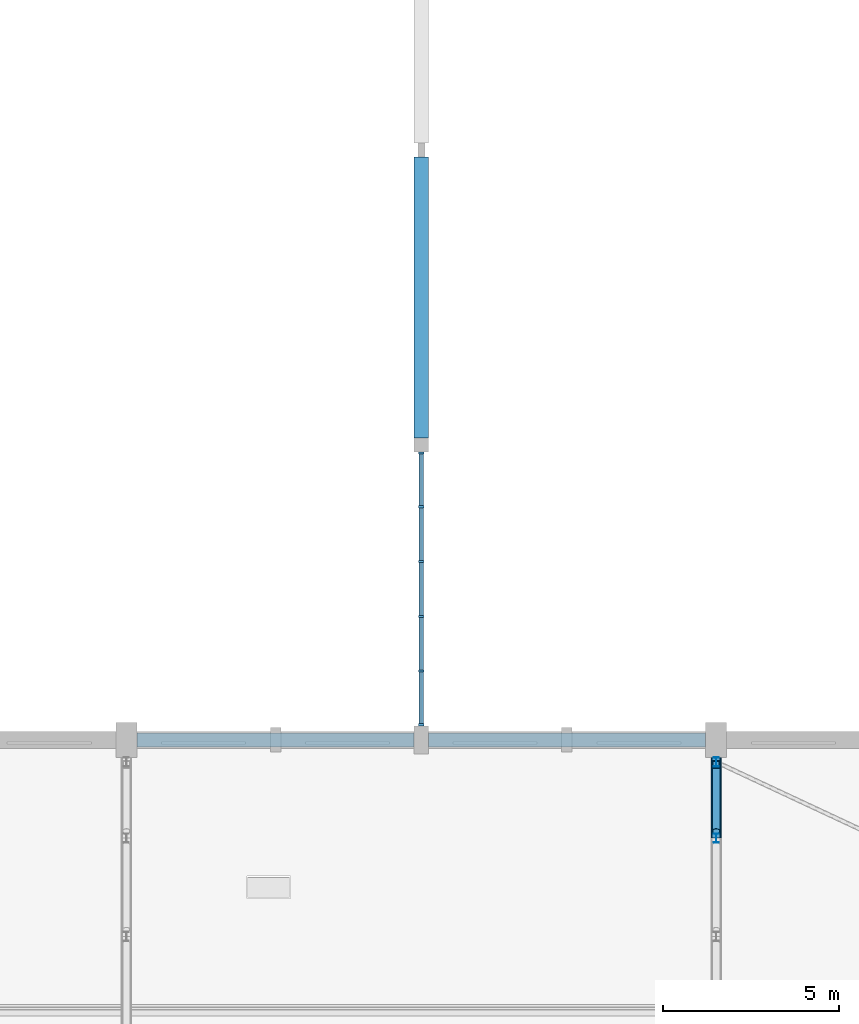
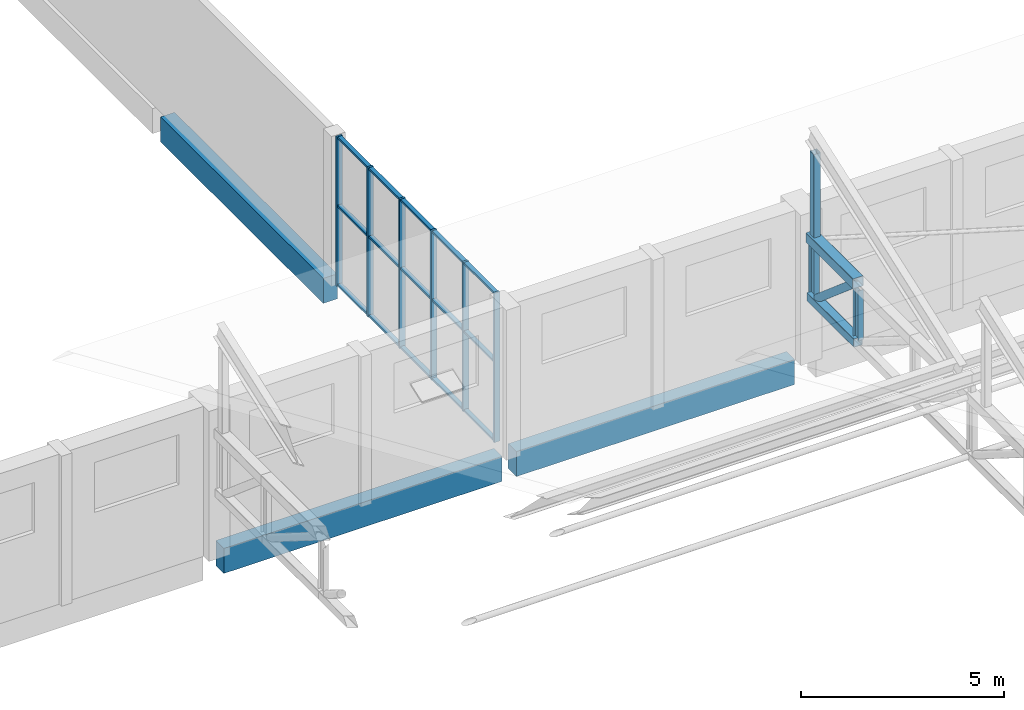
# One storey, part 36 of 101: 27 members, 3 beams, 1 element without a shape of its own.
"""IFC4 building model written with IfcOpenShell, lengths in metres."""

import ifcopenshell
import ifcopenshell.guid

model = None  # the IFC model being written
_history = None  # IfcOwnerHistory: only IFC2X3 demands one
_inside = {}  # id of a spatial element -> (the spatial element, [elements in it])
_under = {}  # id of a project, library or spatial element -> (it, [spatial elements below it])
_declared = {}  # id of a project -> (the project, [libraries it declares])
_typed = {}  # id of a type object -> (the type object, [elements of that type])
_made_of = {}  # id of a material, layer set ... -> (it, [elements and type objects made of it])


def new_model(schema):
    """Start an empty IFC model of exactly this schema.

    Asked for "IFC4X3", IfcOpenShell would pick the latest addendum, in which some entities
    have other attributes; the version numbers below select the first issue.
    IFC2X3 requires an IfcOwnerHistory on every rooted entity: one is made here for all.
    """
    global model, _history
    if schema == "IFC4X3":
        model = ifcopenshell.file(schema_version=(4, 3, 0, 0))
    else:
        model = ifcopenshell.file(schema=schema)
    _inside.clear()
    _under.clear()
    _declared.clear()
    _typed.clear()
    _made_of.clear()
    _history = None
    if model.schema == "IFC2X3":
        org = make("IfcOrganization", Name="unknown")
        user = make(
            "IfcPersonAndOrganization",
            ThePerson=make("IfcPerson", FamilyName="unknown"),
            TheOrganization=org,
        )
        app = make(
            "IfcApplication",
            ApplicationDeveloper=org,
            Version="unknown",
            ApplicationFullName="unknown",
            ApplicationIdentifier="unknown",
        )
        _history = make(
            "IfcOwnerHistory",
            OwningUser=user,
            OwningApplication=app,
            ChangeAction="ADDED",
            CreationDate=0,
        )
    return model


def make(cls, **values):
    """One entity of the class cls with the attributes given. An attribute that is None is left unset."""
    return model.create_entity(
        cls, **{name: value for name, value in values.items() if value is not None}
    )


def rooted(cls, **values):
    """An entity with a GlobalId (a new one), such as an element, a storey or a relation."""
    return make(cls, GlobalId=ifcopenshell.guid.new(), OwnerHistory=_history, **values)


def si_unit(unit_type, name, prefix=None):
    """IfcSIUnit, for example si_unit("LENGTHUNIT", "METRE", prefix="MILLI")."""
    return make("IfcSIUnit", UnitType=unit_type, Prefix=prefix, Name=name)


def assignment(units):
    """IfcUnitAssignment: the units of a project."""
    return None if units is None else make("IfcUnitAssignment", Units=units)


def point(xyz):
    """IfcCartesianPoint."""
    return None if xyz is None else make("IfcCartesianPoint", Coordinates=xyz)


def direction(xyz):
    """IfcDirection."""
    return None if xyz is None else make("IfcDirection", DirectionRatios=xyz)


def frame(location, z_axis=None, x_axis=None):
    """IfcAxis2Placement3D, a coordinate frame: its origin and axes. An axis left out is left unset."""
    return make(
        "IfcAxis2Placement3D",
        Location=point(location),
        Axis=direction(z_axis),
        RefDirection=direction(x_axis),
    )


def frame_2d(location, x_axis=None):
    """IfcAxis2Placement2D, a coordinate frame in the plane: its origin and x axis."""
    return make(
        "IfcAxis2Placement2D", Location=point(location), RefDirection=direction(x_axis)
    )


def origin():
    """The frame at (0, 0, 0) with its axes left unset."""
    return frame((0.0, 0.0, 0.0))


def origin_2d():
    """The frame at (0, 0) in the plane with its x axis left unset."""
    return frame_2d((0.0, 0.0))


def place(relative_to, where):
    """IfcLocalPlacement: puts the frame where relative to a parent placement (None: the world)."""
    return make(
        "IfcLocalPlacement", PlacementRelTo=relative_to, RelativePlacement=where
    )


def context(
    kind, dimensions, precision=None, world=None, true_north=None, identifier=None
):
    """IfcGeometricRepresentationContext, for example the 3D "Model" context."""
    return make(
        "IfcGeometricRepresentationContext",
        ContextIdentifier=identifier,
        ContextType=kind,
        CoordinateSpaceDimension=dimensions,
        Precision=precision,
        WorldCoordinateSystem=world,
        TrueNorth=true_north,
    )


def subcontext(parent, identifier, kind, view, scale=None):
    """IfcGeometricRepresentationSubContext, for example "Body" below "Model"."""
    return make(
        "IfcGeometricRepresentationSubContext",
        ContextIdentifier=identifier,
        ContextType=kind,
        ParentContext=parent,
        TargetScale=scale,
        TargetView=view,
    )


def project(units=None, contexts=None):
    """IfcProject with its units and contexts."""
    return rooted(
        "IfcProject",
        Name="project",
        RepresentationContexts=contexts,
        UnitsInContext=assignment(units),
    )


def spatial(cls, under=None, at=None, **own):
    """A site, building, storey or space (cls), placed at a placement, below another one or the project."""
    s = rooted(cls, ObjectPlacement=at, **own)
    if under is not None:
        _under.setdefault(under.id(), (under, []))[1].append(s)
    return s


def profile(cls, at=None, kind="AREA", **sizes):
    """A parametric profile (cls). Its sizes go by their IFC names, for example OverallWidth=200.0."""
    return make(cls, ProfileType=kind, Position=at, **sizes)


def rectangle(**sizes):
    """IfcRectangleProfileDef."""
    return profile("IfcRectangleProfileDef", **sizes)


def hollow_rectangle(**sizes):
    """IfcRectangleHollowProfileDef."""
    return profile("IfcRectangleHollowProfileDef", **sizes)


def hollow_circle(**sizes):
    """IfcCircleHollowProfileDef."""
    return profile("IfcCircleHollowProfileDef", **sizes)


def i_section(**sizes):
    """IfcIShapeProfileDef."""
    return profile("IfcIShapeProfileDef", **sizes)


def extrude(swept, where, along, depth):
    """IfcExtrudedAreaSolid: the profile swept, set in the frame where, extruded along a direction by depth."""
    return make(
        "IfcExtrudedAreaSolid",
        SweptArea=swept,
        Position=where,
        ExtrudedDirection=direction(along),
        Depth=depth,
    )


def shape(context_of_items, identifier, shape_type, items):
    """IfcShapeRepresentation: the items that make up one representation, for example the "Body"."""
    return make(
        "IfcShapeRepresentation",
        ContextOfItems=context_of_items,
        RepresentationIdentifier=identifier,
        RepresentationType=shape_type,
        Items=items,
    )


def material(Name=None, Category=None):
    """IfcMaterial."""
    return make("IfcMaterial", Name=Name, Category=Category)


def material_profile(
    of_material, cross_section, Name=None, Category=None, Priority=None
):
    """IfcMaterialProfile: a cross section and its material."""
    return make(
        "IfcMaterialProfile",
        Name=Name,
        Material=of_material,
        Profile=cross_section,
        Priority=Priority,
        Category=Category,
    )


def profile_set(profiles, Name=None, composite=None):
    """IfcMaterialProfileSet."""
    return make(
        "IfcMaterialProfileSet",
        Name=Name,
        MaterialProfiles=profiles,
        CompositeProfile=composite,
    )


def made_of(thing, what):
    """Note that an element or type object is made of a material, layer set ...; save() writes the relation."""
    if what is not None:
        _made_of.setdefault(what.id(), (what, []))[1].append(thing)
    return thing


def type_object(cls, material=None, **own):
    """A type object (cls), such as IfcWallType, which elements share."""
    return made_of(rooted(cls, **own), material)


def element(
    cls,
    number,
    at=None,
    inside=None,
    cuts=None,
    type_object=None,
    material=None,
    context=None,
    identifier="Body",
    shape_type=None,
    held_by="IfcProductDefinitionShape",
    body=None,
    shapes=None,
    **own,
):
    """One element of the class cls, such as IfcWall. Its Tag is "e" and its number.

    at: its placement. inside: the storey or other place that contains it. cuts: it is an
    opening in that element (IfcRelVoidsElement). A single representation is given by context,
    identifier, shape_type and body (its items); several are given by shapes. held_by: the class
    of the entity that holds the representations. save() writes the other relations.
    """
    e = rooted(cls, Tag="e%d" % number, ObjectPlacement=at, **own)
    if body is not None:
        shapes = [shape(context, identifier, shape_type, body)]
    if shapes is not None:
        e.Representation = make(held_by, Representations=shapes)
    if inside is not None:
        _inside.setdefault(inside.id(), (inside, []))[1].append(e)
    if cuts is not None:
        rooted(
            "IfcRelVoidsElement", RelatingBuildingElement=cuts, RelatedOpeningElement=e
        )
    if type_object is not None:
        _typed.setdefault(type_object.id(), (type_object, []))[1].append(e)
    return made_of(e, material)


def aggregate(whole, parts):
    """IfcRelAggregates: a whole, such as a stair, and the parts it consists of."""
    return rooted("IfcRelAggregates", RelatingObject=whole, RelatedObjects=parts)


def save(model, path):
    """Write the relations noted so far, then the file.

    IfcRelAggregates (storeys below a building ...), IfcRelContainedInSpatialStructure (elements
    in a storey), IfcRelDefinesByType, IfcRelAssociatesMaterial and IfcRelDeclares: one each for
    every whole, place, type object, material and project.
    """
    for whole, parts in _under.values():
        aggregate(whole, parts)
    for where, things in _inside.values():
        rooted(
            "IfcRelContainedInSpatialStructure",
            RelatedElements=things,
            RelatingStructure=where,
        )
    for kind, things in _typed.values():
        rooted("IfcRelDefinesByType", RelatedObjects=things, RelatingType=kind)
    for what, things in _made_of.values():
        rooted("IfcRelAssociatesMaterial", RelatedObjects=things, RelatingMaterial=what)
    for by, libraries in _declared.values():
        rooted("IfcRelDeclares", RelatingContext=by, RelatedDefinitions=libraries)
    model.write(path)


model = new_model("IFC4")

# Units and contexts
model_context = context("Model", 3, precision=1e-05, world=origin(), true_north=direction((0.0, 1.0)))
body_context = subcontext(model_context, "Body", "Model", "MODEL_VIEW")
ifc_project = project(units=[si_unit("LENGTHUNIT", "METRE"), si_unit("AREAUNIT", "SQUARE_METRE"), si_unit("VOLUMEUNIT", "CUBIC_METRE"), si_unit("PLANEANGLEUNIT", "RADIAN"), si_unit("MASSUNIT", "GRAM", prefix="KILO")], contexts=[model_context])

# Site, building, storey
site_placement = place(None, origin())
site = spatial("IfcSite", under=ifc_project, at=site_placement, CompositionType="ELEMENT")
building_placement = place(site_placement, origin())
building = spatial("IfcBuilding", under=site, at=building_placement, Name="Fescue Hill Polytechnic", CompositionType="ELEMENT")
storey_placement = place(building_placement, frame((0.0, 0.0, 9.0)))
storey = spatial("IfcBuildingStorey", under=building, at=storey_placement, Name="L02", CompositionType="ELEMENT", Elevation=9.0)

# Beams
ifc_material_1 = material(Name="Concrete 35 MPa", Category="concrete")
ifc_material_profile_1 = material_profile(ifc_material_1, rectangle(XDim=0.39990234375, YDim=0.75, at=origin_2d()), Name="RC 400x750")
ifc_profile_set_1 = profile_set([ifc_material_profile_1], Name="Concrete 35 MPa")
beam_type = type_object("IfcBeamType", Name="Beam RC 400x750", PredefinedType="BEAM", material=ifc_profile_set_1)
beam_1_placement = place(storey_placement, frame((92.199951171875, 50.39990234375, -0.375), z_axis=(-1.0, 0.0, 0.0), x_axis=(0.0, -1.0, 0.0)))
element("IfcBeam", 1, at=beam_1_placement, inside=storey, type_object=beam_type, Name="BM-L02-0159", PredefinedType="BEAM", context=body_context, shape_type="SweptSolid", body=[
    extrude(rectangle(XDim=0.39990234375, YDim=0.75, at=origin_2d()), origin(), (0.0, 0.0, 1.0), 7.89990234375),
])
beam_2_placement = place(storey_placement, frame((92.39990234375, 67.0, -0.375), z_axis=(0.0, -1.0, 0.0), x_axis=(1.0, 0.0, 0.0)))
element("IfcBeam", 2, at=beam_2_placement, inside=storey, type_object=beam_type, Name="BM-L02-0160", PredefinedType="BEAM", context=body_context, shape_type="SweptSolid", body=[
    extrude(rectangle(XDim=0.39990234375, YDim=0.75, at=origin_2d()), origin(), (0.0, 0.0, 1.0), 8.0),
])
beam_3_placement = place(storey_placement, frame((100.5, 50.39990234375, -0.375), z_axis=(-1.0, 0.0, 0.0), x_axis=(0.0, -1.0, 0.0)))
element("IfcBeam", 3, at=beam_3_placement, inside=storey, type_object=beam_type, Name="BM-L02-0166", PredefinedType="BEAM", context=body_context, shape_type="SweptSolid", body=[
    extrude(rectangle(XDim=0.39990234375, YDim=0.75, at=origin_2d()), origin(), (0.0, 0.0, 1.0), 7.89990234375),
])

# Members
ifc_material_2 = material(Name="Steel 350W (350 MPa)", Category="steel")
ifc_material_profile_2 = material_profile(ifc_material_2, hollow_rectangle(XDim=0.25390625, YDim=0.25390625, WallThickness=0.0126953125, InnerFilletRadius=0.0126953125, OuterFilletRadius=0.025390625, at=origin_2d()), Name="Hall truss bottom chord HSS 254x254x13")
ifc_profile_set_2 = profile_set([ifc_material_profile_2], Name="Steel 350W (350 MPa)")
member_type_1 = type_object("IfcMemberType", Name="Hall truss bottom chord HSS 254x254x13", PredefinedType="CHORD", material=ifc_profile_set_2)
member_1_placement = place(storey_placement, frame((100.800048828125, 47.60009765625, 2.0), z_axis=(0.0, 1.0, 0.0), x_axis=(-1.0, 0.0, 0.0)))
element("IfcMember", 4, at=member_1_placement, inside=storey, type_object=member_type_1, Name="Truss TR7 bottom chord 12", PredefinedType="CHORD", context=body_context, shape_type="SweptSolid", body=[
    extrude(hollow_rectangle(XDim=0.25390625, YDim=0.25390625, WallThickness=0.0126953125, InnerFilletRadius=0.0126953125, OuterFilletRadius=0.025390625, at=origin_2d()), origin(), (0.0, 0.0, 1.0), 2.2998046875),
])
ifc_material_profile_3 = material_profile(ifc_material_2, hollow_circle(Radius=0.109619140625, WallThickness=0.009521484375, at=origin_2d()), Name="Hall truss diagonal CHS 219x9.5")
ifc_profile_set_3 = profile_set([ifc_material_profile_3], Name="Steel 350W (350 MPa)")
member_type_2 = type_object("IfcMemberType", Name="Hall truss diagonal CHS 219x9.5", PredefinedType="BRACE", material=ifc_profile_set_3)
member_2_placement = place(storey_placement, frame((100.800048828125, 47.800048828125, 3.631103515625), z_axis=(0.0, 0.761443253909, -0.648231572107), x_axis=(-1.0, 0.0, 0.0)))
element("IfcMember", 5, at=member_2_placement, inside=storey, type_object=member_type_2, Name="Truss TR7 diagonal 12", PredefinedType="BRACE", context=body_context, shape_type="SweptSolid", body=[
    extrude(hollow_circle(Radius=0.109619140625, WallThickness=0.009521484375, at=origin_2d()), origin(), (0.0, 0.0, 1.0), 2.3203125),
])
ifc_material_profile_4 = material_profile(ifc_material_2, i_section(OverallWidth=0.14794921875, OverallDepth=0.26611328125, WebThickness=0.007568359375, FlangeThickness=0.012939453125, FilletRadius=0.013916015625, at=origin_2d()), Name="W250x45")
ifc_profile_set_4 = profile_set([ifc_material_profile_4], Name="Steel 350W (350 MPa)")
member_type_3 = type_object("IfcMemberType", Name="Hall truss post W250x45", PredefinedType="POST", material=ifc_profile_set_4)
for number, where, z_axis, x_axis, name in (
    (6, (100.800048828125, 47.60009765625, 2.126953125), (0.0, 0.0, 1.0), (1.0, 0.0, 0.0), "Truss TR7 post 12"),
    (7, (100.800048828125, 49.76708984375, 2.126953125), (0.0, 0.0, 1.0), (1.0, 0.0, 0.0), "Truss TR7 post 13"),
):
    element("IfcMember", number, at=place(storey_placement, frame(where, z_axis=z_axis, x_axis=x_axis)), inside=storey, type_object=member_type_3, Name=name, PredefinedType="POST", context=body_context, shape_type="SweptSolid", body=[
        extrude(i_section(OverallWidth=0.14794921875, OverallDepth=0.26611328125, WebThickness=0.007568359375, FlangeThickness=0.012939453125, FilletRadius=0.013916015625, at=origin_2d()), origin(), (0.0, 0.0, 1.0), 1.504150390625),
    ])
ifc_material_profile_5 = material_profile(ifc_material_2, hollow_rectangle(XDim=0.3046875, YDim=0.3046875, WallThickness=0.0126953125, InnerFilletRadius=0.0126953125, OuterFilletRadius=0.025390625, at=origin_2d()), Name="Hall truss top chord HSS 305x305x13")
ifc_profile_set_5 = profile_set([ifc_material_profile_5], Name="Steel 350W (350 MPa)")
member_type_4 = type_object("IfcMemberType", Name="Hall truss top chord HSS 305x305x13", PredefinedType="CHORD", material=ifc_profile_set_5)
member_3_placement = place(storey_placement, frame((100.800048828125, 47.60009765625, 3.783447265625), z_axis=(0.0, 1.0, 0.0), x_axis=(-1.0, 0.0, 0.0)))
element("IfcMember", 8, at=member_3_placement, inside=storey, type_object=member_type_4, Name="Truss TR7 top chord 12", PredefinedType="CHORD", context=body_context, shape_type="SweptSolid", body=[
    extrude(hollow_rectangle(XDim=0.3046875, YDim=0.3046875, WallThickness=0.0126953125, InnerFilletRadius=0.0126953125, OuterFilletRadius=0.025390625, at=origin_2d()), origin(), (0.0, 0.0, 1.0), 2.2998046875),
])

# Curtain wall, members
ifc_material_3 = material(Name="Glass", Category="glass")
curtain_wall_type = type_object("IfcCurtainWallType", Name="Curtain wall structural glazing", PredefinedType="NOTDEFINED", material=ifc_material_3)
curtain_wall_placement = place(storey_placement, origin())
curtain_wall = element("IfcCurtainWall", 9, at=curtain_wall_placement, inside=storey, type_object=curtain_wall_type, Name="CW-L02-V6-1", PredefinedType="NOTDEFINED")
ifc_material_4 = material(Name="Powder-coated aluminium", Category="aluminium")
ifc_material_profile_6 = material_profile(ifc_material_4, rectangle(XDim=0.159912109375, YDim=0.06005859375, at=origin_2d()), Name="Mullion aluminium 60x160")
ifc_profile_set_6 = profile_set([ifc_material_profile_6], Name="Powder-coated aluminium")
member_type_5 = type_object("IfcMemberType", Name="Mullion aluminium 60x160", PredefinedType="MULLION", material=ifc_profile_set_6)
member_4_placement = place(storey_placement, frame((92.39990234375, 58.570068359375, 0.0), z_axis=(0.0, 0.0, 1.0), x_axis=(1.0, 0.0, 0.0)))
member_4 = element("IfcMember", 10, at=member_4_placement, type_object=member_type_5, Name="CW70 mullion 1", PredefinedType="MULLION", context=body_context, shape_type="SweptSolid", body=[
    extrude(rectangle(XDim=0.159912109375, YDim=0.06005859375, at=origin_2d()), origin(), (0.0, 0.0, 1.0), 4.47998046875),
])
member_5_placement = place(storey_placement, frame((92.39990234375, 57.0400390625, 0.0), z_axis=(0.0, 0.0, 1.0), x_axis=(1.0, 0.0, 0.0)))
member_5 = element("IfcMember", 11, at=member_5_placement, type_object=member_type_5, Name="CW70 mullion 2", PredefinedType="MULLION", context=body_context, shape_type="SweptSolid", body=[
    extrude(rectangle(XDim=0.159912109375, YDim=0.06005859375, at=origin_2d()), origin(), (0.0, 0.0, 1.0), 4.47998046875),
])
member_6_placement = place(storey_placement, frame((92.39990234375, 55.47998046875, 0.0), z_axis=(0.0, 0.0, 1.0), x_axis=(1.0, 0.0, 0.0)))
member_6 = element("IfcMember", 12, at=member_6_placement, type_object=member_type_5, Name="CW70 mullion 3", PredefinedType="MULLION", context=body_context, shape_type="SweptSolid", body=[
    extrude(rectangle(XDim=0.159912109375, YDim=0.06005859375, at=origin_2d()), origin(), (0.0, 0.0, 1.0), 4.47998046875),
])
member_7_placement = place(storey_placement, frame((92.39990234375, 53.919921875, 0.0), z_axis=(0.0, 0.0, 1.0), x_axis=(1.0, 0.0, 0.0)))
member_7 = element("IfcMember", 13, at=member_7_placement, type_object=member_type_5, Name="CW70 mullion 4", PredefinedType="MULLION", context=body_context, shape_type="SweptSolid", body=[
    extrude(rectangle(XDim=0.159912109375, YDim=0.06005859375, at=origin_2d()), origin(), (0.0, 0.0, 1.0), 4.47998046875),
])
member_8_placement = place(storey_placement, frame((92.39990234375, 52.360107421875, 0.0), z_axis=(0.0, 0.0, 1.0), x_axis=(1.0, 0.0, 0.0)))
member_8 = element("IfcMember", 14, at=member_8_placement, type_object=member_type_5, Name="CW70 mullion 5", PredefinedType="MULLION", context=body_context, shape_type="SweptSolid", body=[
    extrude(rectangle(XDim=0.159912109375, YDim=0.06005859375, at=origin_2d()), origin(), (0.0, 0.0, 1.0), 4.47998046875),
])
member_9_placement = place(storey_placement, frame((92.39990234375, 50.830078125, 0.0), z_axis=(0.0, 0.0, 1.0), x_axis=(1.0, 0.0, 0.0)))
member_9 = element("IfcMember", 15, at=member_9_placement, type_object=member_type_5, Name="CW70 mullion 6", PredefinedType="MULLION", context=body_context, shape_type="SweptSolid", body=[
    extrude(rectangle(XDim=0.159912109375, YDim=0.06005859375, at=origin_2d()), origin(), (0.0, 0.0, 1.0), 4.47998046875),
])

# Member
ifc_material_profile_7 = material_profile(ifc_material_2, hollow_rectangle(XDim=0.203125, YDim=0.203125, WallThickness=0.009521484375, InnerFilletRadius=0.009521484375, OuterFilletRadius=0.01904296875, at=origin_2d()), Name="Tooth ridge post HSS 203x203x9.5")
ifc_profile_set_7 = profile_set([ifc_material_profile_7], Name="Steel 350W (350 MPa)")
member_type_6 = type_object("IfcMemberType", Name="Tooth ridge post HSS 203x203x9.5", PredefinedType="POST", material=ifc_profile_set_7)
member_10_placement = place(storey_placement, frame((100.800048828125, 49.699951171875, 3.93603515625), z_axis=(0.0, 0.0, 1.0), x_axis=(1.0, 0.0, 0.0)))
element("IfcMember", 16, at=member_10_placement, inside=storey, type_object=member_type_6, Name="Tooth 4 ridge post on TR7", PredefinedType="POST", context=body_context, shape_type="SweptSolid", body=[
    extrude(hollow_rectangle(XDim=0.203125, YDim=0.203125, WallThickness=0.009521484375, InnerFilletRadius=0.009521484375, OuterFilletRadius=0.01904296875, at=origin_2d()), origin(), (0.0, 0.0, 1.0), 2.499267578125),
])

ifc_material_profile_8 = material_profile(ifc_material_4, rectangle(XDim=0.1201171875, YDim=0.06005859375, at=origin_2d()), Name="Transom aluminium 60x120")
ifc_profile_set_8 = profile_set([ifc_material_profile_8], Name="Powder-coated aluminium")
member_type_7 = type_object("IfcMemberType", Name="Transom aluminium 60x120", PredefinedType="USERDEFINED", material=ifc_profile_set_8)
member_11_placement = place(storey_placement, frame((92.39990234375, 58.5400390625, 0.030029296875), z_axis=(0.0, -1.0, 0.0), x_axis=(1.0, 0.0, 0.0)))
member_11 = element("IfcMember", 17, at=member_11_placement, type_object=member_type_7, Name="CW70 transom 1.1", ObjectType="TRANSOM", PredefinedType="USERDEFINED", context=body_context, shape_type="SweptSolid", body=[
    extrude(rectangle(XDim=0.1201171875, YDim=0.06005859375, at=origin_2d()), origin(), (0.0, 0.0, 1.0), 1.469970703125),
])

member_12_placement = place(storey_placement, frame((92.39990234375, 58.5400390625, 2.39990234375), z_axis=(0.0, -1.0, 0.0), x_axis=(1.0, 0.0, 0.0)))
member_12 = element("IfcMember", 18, at=member_12_placement, type_object=member_type_7, Name="CW70 transom 1.2", ObjectType="TRANSOM", PredefinedType="USERDEFINED", context=body_context, shape_type="SweptSolid", body=[
    extrude(rectangle(XDim=0.1201171875, YDim=0.06005859375, at=origin_2d()), origin(), (0.0, 0.0, 1.0), 1.469970703125),
])

member_13_placement = place(storey_placement, frame((92.39990234375, 58.5400390625, 4.449951171875), z_axis=(0.0, -1.0, 0.0), x_axis=(1.0, 0.0, 0.0)))
member_13 = element("IfcMember", 19, at=member_13_placement, type_object=member_type_7, Name="CW70 transom 1.3", ObjectType="TRANSOM", PredefinedType="USERDEFINED", context=body_context, shape_type="SweptSolid", body=[
    extrude(rectangle(XDim=0.1201171875, YDim=0.06005859375, at=origin_2d()), origin(), (0.0, 0.0, 1.0), 1.469970703125),
])

member_14_placement = place(storey_placement, frame((92.39990234375, 57.010009765625, 0.030029296875), z_axis=(0.0, -1.0, 0.0), x_axis=(1.0, 0.0, 0.0)))
member_14 = element("IfcMember", 20, at=member_14_placement, type_object=member_type_7, Name="CW70 transom 2.1", ObjectType="TRANSOM", PredefinedType="USERDEFINED", context=body_context, shape_type="SweptSolid", body=[
    extrude(rectangle(XDim=0.1201171875, YDim=0.06005859375, at=origin_2d()), origin(), (0.0, 0.0, 1.0), 1.5),
])

member_15_placement = place(storey_placement, frame((92.39990234375, 57.010009765625, 2.39990234375), z_axis=(0.0, -1.0, 0.0), x_axis=(1.0, 0.0, 0.0)))
member_15 = element("IfcMember", 21, at=member_15_placement, type_object=member_type_7, Name="CW70 transom 2.2", ObjectType="TRANSOM", PredefinedType="USERDEFINED", context=body_context, shape_type="SweptSolid", body=[
    extrude(rectangle(XDim=0.1201171875, YDim=0.06005859375, at=origin_2d()), origin(), (0.0, 0.0, 1.0), 1.5),
])

member_16_placement = place(storey_placement, frame((92.39990234375, 57.010009765625, 4.449951171875), z_axis=(0.0, -1.0, 0.0), x_axis=(1.0, 0.0, 0.0)))
member_16 = element("IfcMember", 22, at=member_16_placement, type_object=member_type_7, Name="CW70 transom 2.3", ObjectType="TRANSOM", PredefinedType="USERDEFINED", context=body_context, shape_type="SweptSolid", body=[
    extrude(rectangle(XDim=0.1201171875, YDim=0.06005859375, at=origin_2d()), origin(), (0.0, 0.0, 1.0), 1.5),
])

member_17_placement = place(storey_placement, frame((92.39990234375, 55.449951171875, 0.030029296875), z_axis=(0.0, -1.0, 0.0), x_axis=(1.0, 0.0, 0.0)))
member_17 = element("IfcMember", 23, at=member_17_placement, type_object=member_type_7, Name="CW70 transom 3.1", ObjectType="TRANSOM", PredefinedType="USERDEFINED", context=body_context, shape_type="SweptSolid", body=[
    extrude(rectangle(XDim=0.1201171875, YDim=0.06005859375, at=origin_2d()), origin(), (0.0, 0.0, 1.0), 1.5),
])

member_18_placement = place(storey_placement, frame((92.39990234375, 55.449951171875, 2.39990234375), z_axis=(0.0, -1.0, 0.0), x_axis=(1.0, 0.0, 0.0)))
member_18 = element("IfcMember", 24, at=member_18_placement, type_object=member_type_7, Name="CW70 transom 3.2", ObjectType="TRANSOM", PredefinedType="USERDEFINED", context=body_context, shape_type="SweptSolid", body=[
    extrude(rectangle(XDim=0.1201171875, YDim=0.06005859375, at=origin_2d()), origin(), (0.0, 0.0, 1.0), 1.5),
])

member_19_placement = place(storey_placement, frame((92.39990234375, 55.449951171875, 4.449951171875), z_axis=(0.0, -1.0, 0.0), x_axis=(1.0, 0.0, 0.0)))
member_19 = element("IfcMember", 25, at=member_19_placement, type_object=member_type_7, Name="CW70 transom 3.3", ObjectType="TRANSOM", PredefinedType="USERDEFINED", context=body_context, shape_type="SweptSolid", body=[
    extrude(rectangle(XDim=0.1201171875, YDim=0.06005859375, at=origin_2d()), origin(), (0.0, 0.0, 1.0), 1.5),
])

member_20_placement = place(storey_placement, frame((92.39990234375, 53.889892578125, 0.030029296875), z_axis=(0.0, -1.0, 0.0), x_axis=(1.0, 0.0, 0.0)))
member_20 = element("IfcMember", 26, at=member_20_placement, type_object=member_type_7, Name="CW70 transom 4.1", ObjectType="TRANSOM", PredefinedType="USERDEFINED", context=body_context, shape_type="SweptSolid", body=[
    extrude(rectangle(XDim=0.1201171875, YDim=0.06005859375, at=origin_2d()), origin(), (0.0, 0.0, 1.0), 1.5),
])

member_21_placement = place(storey_placement, frame((92.39990234375, 53.889892578125, 2.39990234375), z_axis=(0.0, -1.0, 0.0), x_axis=(1.0, 0.0, 0.0)))
member_21 = element("IfcMember", 27, at=member_21_placement, type_object=member_type_7, Name="CW70 transom 4.2", ObjectType="TRANSOM", PredefinedType="USERDEFINED", context=body_context, shape_type="SweptSolid", body=[
    extrude(rectangle(XDim=0.1201171875, YDim=0.06005859375, at=origin_2d()), origin(), (0.0, 0.0, 1.0), 1.5),
])

member_22_placement = place(storey_placement, frame((92.39990234375, 53.889892578125, 4.449951171875), z_axis=(0.0, -1.0, 0.0), x_axis=(1.0, 0.0, 0.0)))
member_22 = element("IfcMember", 28, at=member_22_placement, type_object=member_type_7, Name="CW70 transom 4.3", ObjectType="TRANSOM", PredefinedType="USERDEFINED", context=body_context, shape_type="SweptSolid", body=[
    extrude(rectangle(XDim=0.1201171875, YDim=0.06005859375, at=origin_2d()), origin(), (0.0, 0.0, 1.0), 1.5),
])

member_23_placement = place(storey_placement, frame((92.39990234375, 52.330078125, 0.030029296875), z_axis=(0.0, -1.0, 0.0), x_axis=(1.0, 0.0, 0.0)))
member_23 = element("IfcMember", 29, at=member_23_placement, type_object=member_type_7, Name="CW70 transom 5.1", ObjectType="TRANSOM", PredefinedType="USERDEFINED", context=body_context, shape_type="SweptSolid", body=[
    extrude(rectangle(XDim=0.1201171875, YDim=0.06005859375, at=origin_2d()), origin(), (0.0, 0.0, 1.0), 1.469970703125),
])

member_24_placement = place(storey_placement, frame((92.39990234375, 52.330078125, 2.39990234375), z_axis=(0.0, -1.0, 0.0), x_axis=(1.0, 0.0, 0.0)))
member_24 = element("IfcMember", 30, at=member_24_placement, type_object=member_type_7, Name="CW70 transom 5.2", ObjectType="TRANSOM", PredefinedType="USERDEFINED", context=body_context, shape_type="SweptSolid", body=[
    extrude(rectangle(XDim=0.1201171875, YDim=0.06005859375, at=origin_2d()), origin(), (0.0, 0.0, 1.0), 1.469970703125),
])

member_25_placement = place(storey_placement, frame((92.39990234375, 52.330078125, 4.449951171875), z_axis=(0.0, -1.0, 0.0), x_axis=(1.0, 0.0, 0.0)))
member_25 = element("IfcMember", 31, at=member_25_placement, type_object=member_type_7, Name="CW70 transom 5.3", ObjectType="TRANSOM", PredefinedType="USERDEFINED", context=body_context, shape_type="SweptSolid", body=[
    extrude(rectangle(XDim=0.1201171875, YDim=0.06005859375, at=origin_2d()), origin(), (0.0, 0.0, 1.0), 1.469970703125),
])

aggregate(curtain_wall, [member_4, member_5, member_6, member_7, member_8, member_9, member_11, member_12, member_13, member_14, member_15, member_16, member_17, member_18, member_19, member_20, member_21, member_22, member_23, member_24, member_25])

save(model, "model.ifc")
